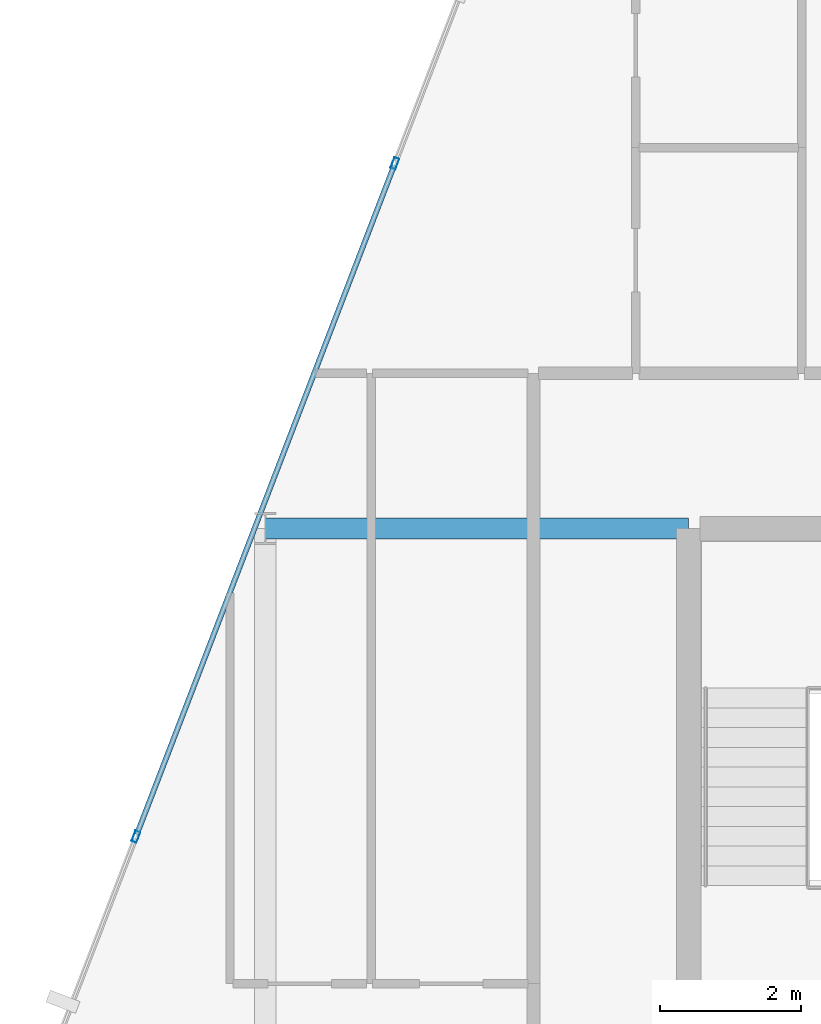
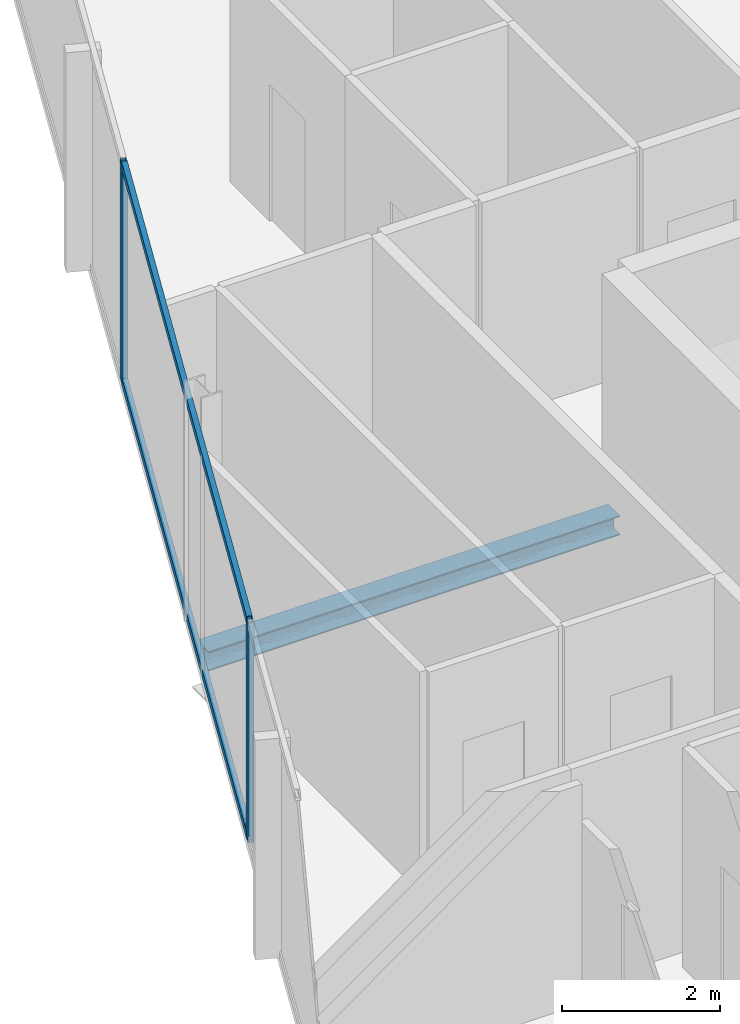
# One storey, part 16 of 29: 4 members, 1 beam, 1 element without a shape of its own.
"""IFC4 building model written with IfcOpenShell, lengths in metres."""

from ifc_helpers import new_model, si_unit, direction, frame, origin, origin_2d, place, context, subcontext, project, spatial, hollow_rectangle, i_section, extrude, material, layer, layer_set, material_profile, profile_set, type_object, element, aggregate, save


model = new_model("IFC4")

# Units and contexts
model_context = context("Model", 3, precision=1e-05, world=origin(), true_north=direction((0.0, 1.0)))
body_context = subcontext(model_context, "Body", "Model", "MODEL_VIEW")
ifc_project = project(units=[si_unit("LENGTHUNIT", "METRE"), si_unit("AREAUNIT", "SQUARE_METRE"), si_unit("VOLUMEUNIT", "CUBIC_METRE"), si_unit("PLANEANGLEUNIT", "RADIAN"), si_unit("MASSUNIT", "GRAM", prefix="KILO")], contexts=[model_context])

# Site, building, storey
site_placement = place(None, origin())
site = spatial("IfcSite", under=ifc_project, at=site_placement, CompositionType="ELEMENT")
building_placement = place(site_placement, origin())
building = spatial("IfcBuilding", under=site, at=building_placement, Name="Keshet Zoharim Tower", CompositionType="ELEMENT")
storey_placement = place(building_placement, frame((0.0, 0.0, 172.800048828125)))
storey = spatial("IfcBuildingStorey", under=building, at=storey_placement, Name="L42", CompositionType="ELEMENT", Elevation=172.800048828125)

# Beam
ifc_material_1 = material(Name="Steel S355", Category="steel")
ifc_material_profile_1 = material_profile(ifc_material_1, i_section(OverallWidth=0.300048828125, OverallDepth=0.300048828125, WebThickness=0.010986328125, FlangeThickness=0.01904296875, FilletRadius=0.027099609375, at=origin_2d()), Name="HEB300")
ifc_profile_set_1 = profile_set([ifc_material_profile_1], Name="Steel S355")
beam_type = type_object("IfcBeamType", Name="BM-PRI-HB300", PredefinedType="BEAM", material=ifc_profile_set_1)
beam_placement = place(storey_placement, frame((9.0, 37.89990234375, -0.4599609375), z_axis=(1.0, 0.0, 0.0), x_axis=(0.0, 1.0, 0.0)))
element("IfcBeam", 1, at=beam_placement, inside=storey, type_object=beam_type, Name="L42 Primary Girder X-017", PredefinedType="BEAM", context=body_context, shape_type="SweptSolid", body=[
    extrude(i_section(OverallWidth=0.300048828125, OverallDepth=0.300048828125, WebThickness=0.010986328125, FlangeThickness=0.01904296875, FilletRadius=0.027099609375, at=origin_2d()), origin(), (0.0, 0.0, 1.0), 6.0),
])

# Curtain wall, members
ifc_material_2 = material(Name="Aluminium 6063-T6", Category="aluminium")
ifc_layer = layer(ifc_material_2, 0.139892578125)
ifc_layer_set = layer_set([ifc_layer], Name="Aluminium 6063-T6")
curtain_wall_type = type_object("IfcCurtainWallType", Name="CW-SYS-05", PredefinedType="NOTDEFINED", material=ifc_layer_set)
curtain_wall_placement = place(storey_placement, origin())
curtain_wall = element("IfcCurtainWall", 2, at=curtain_wall_placement, inside=storey, type_object=curtain_wall_type, Name="L42 Unitised Curtain Wall 13", PredefinedType="NOTDEFINED")
ifc_material_profile_2 = material_profile(ifc_material_2, hollow_rectangle(XDim=0.074951171875, YDim=0.159912109375, WallThickness=0.00390625, at=origin_2d()), Name="MUL-75x160")
ifc_profile_set_2 = profile_set([ifc_material_profile_2], Name="Aluminium 6063-T6")
member_type_1 = type_object("IfcMemberType", Name="CWM-M15", PredefinedType="MULLION", material=ifc_profile_set_2)
member_1_placement = place(storey_placement, frame((7.1669921875, 33.53466796875, 0.0), z_axis=(0.0, 0.0, 1.0), x_axis=(-0.933341404361, 0.358990003907, 0.0)))
member_1 = element("IfcMember", 3, at=member_1_placement, type_object=member_type_1, Name="CW-05 mullion 2", PredefinedType="MULLION", context=body_context, shape_type="SweptSolid", body=[
    extrude(hollow_rectangle(XDim=0.074951171875, YDim=0.159912109375, WallThickness=0.00390625, at=origin_2d()), origin(), (0.0, 0.0, 1.0), 3.389892578125),
])
member_2_placement = place(storey_placement, frame((10.8369140625, 43.076416015625, 0.0), z_axis=(0.0, 0.0, 1.0), x_axis=(-0.933341404361, 0.358990003907, 0.0)))
member_2 = element("IfcMember", 4, at=member_2_placement, type_object=member_type_1, Name="CW-05 mullion 3", PredefinedType="MULLION", context=body_context, shape_type="SweptSolid", body=[
    extrude(hollow_rectangle(XDim=0.074951171875, YDim=0.159912109375, WallThickness=0.00390625, at=origin_2d()), origin(), (0.0, 0.0, 1.0), 3.389892578125),
])
ifc_material_profile_3 = material_profile(ifc_material_2, hollow_rectangle(XDim=0.074951171875, YDim=0.1201171875, WallThickness=0.00390625, at=origin_2d()), Name="TRN-75x120")
ifc_profile_set_3 = profile_set([ifc_material_profile_3], Name="Aluminium 6063-T6")
member_type_2 = type_object("IfcMemberType", Name="CWT-T12", PredefinedType="USERDEFINED", material=ifc_profile_set_3)
member_3_placement = place(storey_placement, frame((7.179443359375, 33.5673828125, 0.034912109375), z_axis=(0.359003248899, 0.933336309848, 0.0), x_axis=(-0.933336309848, 0.359003248899, 0.0)))
member_3 = element("IfcMember", 5, at=member_3_placement, type_object=member_type_2, Name="CW-05 transom 2.1", ObjectType="TRANSOM", PredefinedType="USERDEFINED", context=body_context, shape_type="SweptSolid", body=[
    extrude(hollow_rectangle(XDim=0.074951171875, YDim=0.1201171875, WallThickness=0.00390625, at=origin_2d()), origin(), (0.0, 0.0, 1.0), 10.153076171875),
])
member_4_placement = place(storey_placement, frame((7.179443359375, 33.5673828125, 3.35498046875), z_axis=(0.359003248899, 0.933336309848, 0.0), x_axis=(-0.933336309848, 0.359003248899, 0.0)))
member_4 = element("IfcMember", 6, at=member_4_placement, type_object=member_type_2, Name="CW-05 transom 2.2", ObjectType="TRANSOM", PredefinedType="USERDEFINED", context=body_context, shape_type="SweptSolid", body=[
    extrude(hollow_rectangle(XDim=0.074951171875, YDim=0.1201171875, WallThickness=0.00390625, at=origin_2d()), origin(), (0.0, 0.0, 1.0), 10.153076171875),
])
aggregate(curtain_wall, [member_1, member_2, member_3, member_4])

save(model, "model.ifc")
